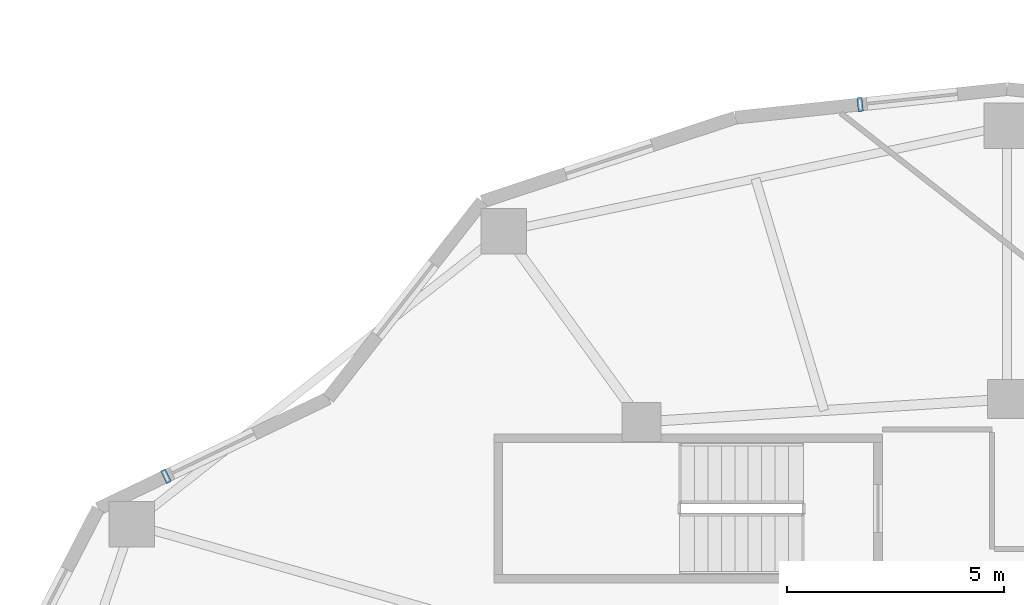
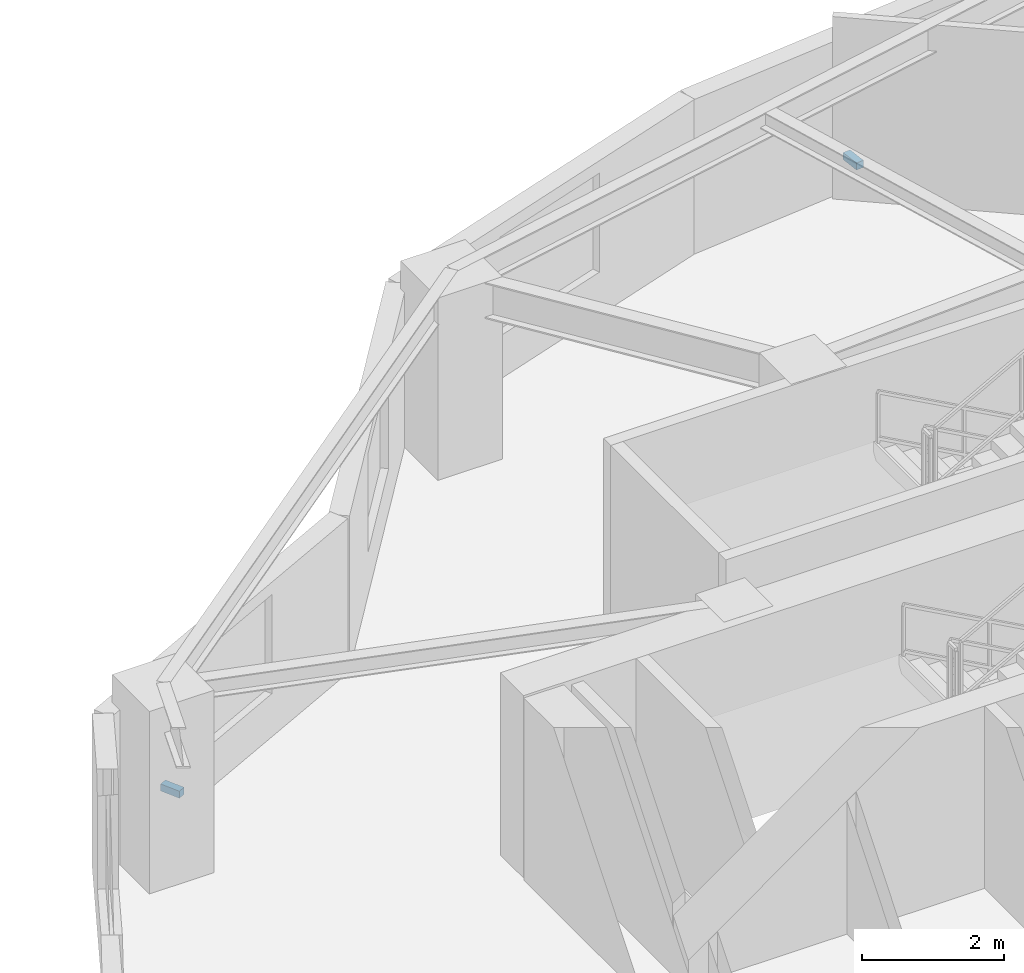
# One storey, part 9 of 14: 2 discrete accessories.
"""IFC4 building model written with IfcOpenShell, lengths in metres."""

import ifcopenshell
import ifcopenshell.guid

model = None  # the IFC model being written
_history = None  # IfcOwnerHistory: only IFC2X3 demands one
_inside = {}  # id of a spatial element -> (the spatial element, [elements in it])
_under = {}  # id of a project, library or spatial element -> (it, [spatial elements below it])
_declared = {}  # id of a project -> (the project, [libraries it declares])
_typed = {}  # id of a type object -> (the type object, [elements of that type])
_made_of = {}  # id of a material, layer set ... -> (it, [elements and type objects made of it])


def new_model(schema):
    """Start an empty IFC model of exactly this schema.

    Asked for "IFC4X3", IfcOpenShell would pick the latest addendum, in which some entities
    have other attributes; the version numbers below select the first issue.
    IFC2X3 requires an IfcOwnerHistory on every rooted entity: one is made here for all.
    """
    global model, _history
    if schema == "IFC4X3":
        model = ifcopenshell.file(schema_version=(4, 3, 0, 0))
    else:
        model = ifcopenshell.file(schema=schema)
    _inside.clear()
    _under.clear()
    _declared.clear()
    _typed.clear()
    _made_of.clear()
    _history = None
    if model.schema == "IFC2X3":
        org = make("IfcOrganization", Name="unknown")
        user = make(
            "IfcPersonAndOrganization",
            ThePerson=make("IfcPerson", FamilyName="unknown"),
            TheOrganization=org,
        )
        app = make(
            "IfcApplication",
            ApplicationDeveloper=org,
            Version="unknown",
            ApplicationFullName="unknown",
            ApplicationIdentifier="unknown",
        )
        _history = make(
            "IfcOwnerHistory",
            OwningUser=user,
            OwningApplication=app,
            ChangeAction="ADDED",
            CreationDate=0,
        )
    return model


def make(cls, **values):
    """One entity of the class cls with the attributes given. An attribute that is None is left unset."""
    return model.create_entity(
        cls, **{name: value for name, value in values.items() if value is not None}
    )


def rooted(cls, **values):
    """An entity with a GlobalId (a new one), such as an element, a storey or a relation."""
    return make(cls, GlobalId=ifcopenshell.guid.new(), OwnerHistory=_history, **values)


def si_unit(unit_type, name, prefix=None):
    """IfcSIUnit, for example si_unit("LENGTHUNIT", "METRE", prefix="MILLI")."""
    return make("IfcSIUnit", UnitType=unit_type, Prefix=prefix, Name=name)


def assignment(units):
    """IfcUnitAssignment: the units of a project."""
    return None if units is None else make("IfcUnitAssignment", Units=units)


def point(xyz):
    """IfcCartesianPoint."""
    return None if xyz is None else make("IfcCartesianPoint", Coordinates=xyz)


def direction(xyz):
    """IfcDirection."""
    return None if xyz is None else make("IfcDirection", DirectionRatios=xyz)


def frame(location, z_axis=None, x_axis=None):
    """IfcAxis2Placement3D, a coordinate frame: its origin and axes. An axis left out is left unset."""
    return make(
        "IfcAxis2Placement3D",
        Location=point(location),
        Axis=direction(z_axis),
        RefDirection=direction(x_axis),
    )


def frame_2d(location, x_axis=None):
    """IfcAxis2Placement2D, a coordinate frame in the plane: its origin and x axis."""
    return make(
        "IfcAxis2Placement2D", Location=point(location), RefDirection=direction(x_axis)
    )


def origin():
    """The frame at (0, 0, 0) with its axes left unset."""
    return frame((0.0, 0.0, 0.0))


def origin_2d():
    """The frame at (0, 0) in the plane with its x axis left unset."""
    return frame_2d((0.0, 0.0))


def place(relative_to, where):
    """IfcLocalPlacement: puts the frame where relative to a parent placement (None: the world)."""
    return make(
        "IfcLocalPlacement", PlacementRelTo=relative_to, RelativePlacement=where
    )


def context(
    kind, dimensions, precision=None, world=None, true_north=None, identifier=None
):
    """IfcGeometricRepresentationContext, for example the 3D "Model" context."""
    return make(
        "IfcGeometricRepresentationContext",
        ContextIdentifier=identifier,
        ContextType=kind,
        CoordinateSpaceDimension=dimensions,
        Precision=precision,
        WorldCoordinateSystem=world,
        TrueNorth=true_north,
    )


def subcontext(parent, identifier, kind, view, scale=None):
    """IfcGeometricRepresentationSubContext, for example "Body" below "Model"."""
    return make(
        "IfcGeometricRepresentationSubContext",
        ContextIdentifier=identifier,
        ContextType=kind,
        ParentContext=parent,
        TargetScale=scale,
        TargetView=view,
    )


def project(units=None, contexts=None):
    """IfcProject with its units and contexts."""
    return rooted(
        "IfcProject",
        Name="project",
        RepresentationContexts=contexts,
        UnitsInContext=assignment(units),
    )


def spatial(cls, under=None, at=None, **own):
    """A site, building, storey or space (cls), placed at a placement, below another one or the project."""
    s = rooted(cls, ObjectPlacement=at, **own)
    if under is not None:
        _under.setdefault(under.id(), (under, []))[1].append(s)
    return s


def profile(cls, at=None, kind="AREA", **sizes):
    """A parametric profile (cls). Its sizes go by their IFC names, for example OverallWidth=200.0."""
    return make(cls, ProfileType=kind, Position=at, **sizes)


def rectangle(**sizes):
    """IfcRectangleProfileDef."""
    return profile("IfcRectangleProfileDef", **sizes)


def extrude(swept, where, along, depth):
    """IfcExtrudedAreaSolid: the profile swept, set in the frame where, extruded along a direction by depth."""
    return make(
        "IfcExtrudedAreaSolid",
        SweptArea=swept,
        Position=where,
        ExtrudedDirection=direction(along),
        Depth=depth,
    )


def shape(context_of_items, identifier, shape_type, items):
    """IfcShapeRepresentation: the items that make up one representation, for example the "Body"."""
    return make(
        "IfcShapeRepresentation",
        ContextOfItems=context_of_items,
        RepresentationIdentifier=identifier,
        RepresentationType=shape_type,
        Items=items,
    )


def material(Name=None, Category=None):
    """IfcMaterial."""
    return make("IfcMaterial", Name=Name, Category=Category)


def made_of(thing, what):
    """Note that an element or type object is made of a material, layer set ...; save() writes the relation."""
    if what is not None:
        _made_of.setdefault(what.id(), (what, []))[1].append(thing)
    return thing


def type_object(cls, material=None, **own):
    """A type object (cls), such as IfcWallType, which elements share."""
    return made_of(rooted(cls, **own), material)


def element(
    cls,
    number,
    at=None,
    inside=None,
    cuts=None,
    type_object=None,
    material=None,
    context=None,
    identifier="Body",
    shape_type=None,
    held_by="IfcProductDefinitionShape",
    body=None,
    shapes=None,
    **own,
):
    """One element of the class cls, such as IfcWall. Its Tag is "e" and its number.

    at: its placement. inside: the storey or other place that contains it. cuts: it is an
    opening in that element (IfcRelVoidsElement). A single representation is given by context,
    identifier, shape_type and body (its items); several are given by shapes. held_by: the class
    of the entity that holds the representations. save() writes the other relations.
    """
    e = rooted(cls, Tag="e%d" % number, ObjectPlacement=at, **own)
    if body is not None:
        shapes = [shape(context, identifier, shape_type, body)]
    if shapes is not None:
        e.Representation = make(held_by, Representations=shapes)
    if inside is not None:
        _inside.setdefault(inside.id(), (inside, []))[1].append(e)
    if cuts is not None:
        rooted(
            "IfcRelVoidsElement", RelatingBuildingElement=cuts, RelatedOpeningElement=e
        )
    if type_object is not None:
        _typed.setdefault(type_object.id(), (type_object, []))[1].append(e)
    return made_of(e, material)


def aggregate(whole, parts):
    """IfcRelAggregates: a whole, such as a stair, and the parts it consists of."""
    return rooted("IfcRelAggregates", RelatingObject=whole, RelatedObjects=parts)


def save(model, path):
    """Write the relations noted so far, then the file.

    IfcRelAggregates (storeys below a building ...), IfcRelContainedInSpatialStructure (elements
    in a storey), IfcRelDefinesByType, IfcRelAssociatesMaterial and IfcRelDeclares: one each for
    every whole, place, type object, material and project.
    """
    for whole, parts in _under.values():
        aggregate(whole, parts)
    for where, things in _inside.values():
        rooted(
            "IfcRelContainedInSpatialStructure",
            RelatedElements=things,
            RelatingStructure=where,
        )
    for kind, things in _typed.values():
        rooted("IfcRelDefinesByType", RelatedObjects=things, RelatingType=kind)
    for what, things in _made_of.values():
        rooted("IfcRelAssociatesMaterial", RelatedObjects=things, RelatingMaterial=what)
    for by, libraries in _declared.values():
        rooted("IfcRelDeclares", RelatingContext=by, RelatedDefinitions=libraries)
    model.write(path)


model = new_model("IFC4")

# Units and contexts
model_context = context("Model", 3, precision=1e-05, world=origin(), true_north=direction((0.0, 1.0)))
body_context = subcontext(model_context, "Body", "Model", "MODEL_VIEW")
ifc_project = project(units=[si_unit("LENGTHUNIT", "METRE"), si_unit("AREAUNIT", "SQUARE_METRE"), si_unit("VOLUMEUNIT", "CUBIC_METRE"), si_unit("PLANEANGLEUNIT", "RADIAN"), si_unit("MASSUNIT", "GRAM", prefix="KILO")], contexts=[model_context])

# Site, building, storey
site_placement = place(None, origin())
site = spatial("IfcSite", under=ifc_project, at=site_placement, CompositionType="ELEMENT")
building_placement = place(site_placement, origin())
building = spatial("IfcBuilding", under=site, at=building_placement, Name="Kolvaren Gate Tower and Convention Centre", CompositionType="ELEMENT")
storey_placement = place(building_placement, frame((0.0, 0.0, 112.10009765625)))
storey = spatial("IfcBuildingStorey", under=building, at=storey_placement, Name="L27", CompositionType="ELEMENT", Elevation=112.10009765625)

# Discrete accessories
ifc_material = material(Name="Anodized Architectural Aluminium Alloy 6063-T6", Category="aluminium")
discrete_accessory_type = type_object("IfcDiscreteAccessoryType", Name="ARCH-ACC-BRACKET-120", PredefinedType="BRACKET", material=ifc_material)
for number, where, z_axis, x_axis, name in (
    (1, (26.739013671875, 45.993408203125, 0.289794921875), (0.0, 0.0, 1.0), (0.994499981166, 0.104736753152, 0.0), "Ceramic Fin Wall Anchor Bracket FBK-L27-06"),
    (2, (10.7392578125, 37.425048828125, 0.289794921875), (0.0, 0.0, 1.0), (0.901362925045, 0.433064518696, 0.0), "Ceramic Fin Wall Anchor Bracket FBK-L27-09"),
):
    element("IfcDiscreteAccessory", number, at=place(storey_placement, frame(where, z_axis=z_axis, x_axis=x_axis)), inside=storey, type_object=discrete_accessory_type, Name=name, PredefinedType="BRACKET", context=body_context, shape_type="SweptSolid", body=[
        extrude(rectangle(XDim=0.1201171875, YDim=0.320068359375, at=origin_2d()), origin(), (0.0, 0.0, 1.0), 0.1201171875),
    ])

save(model, "model.ifc")
